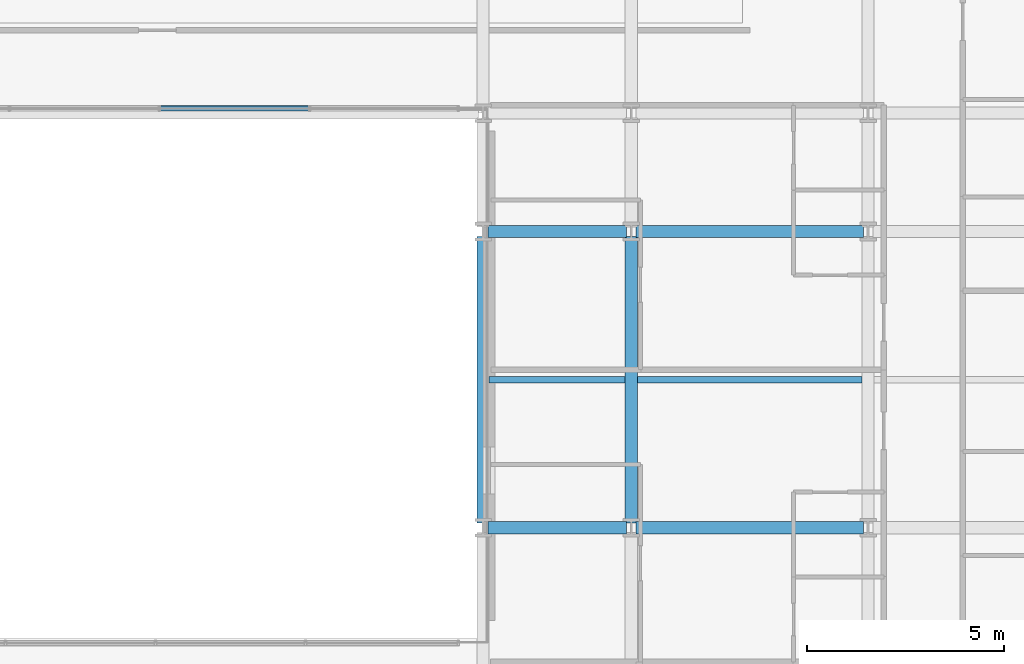
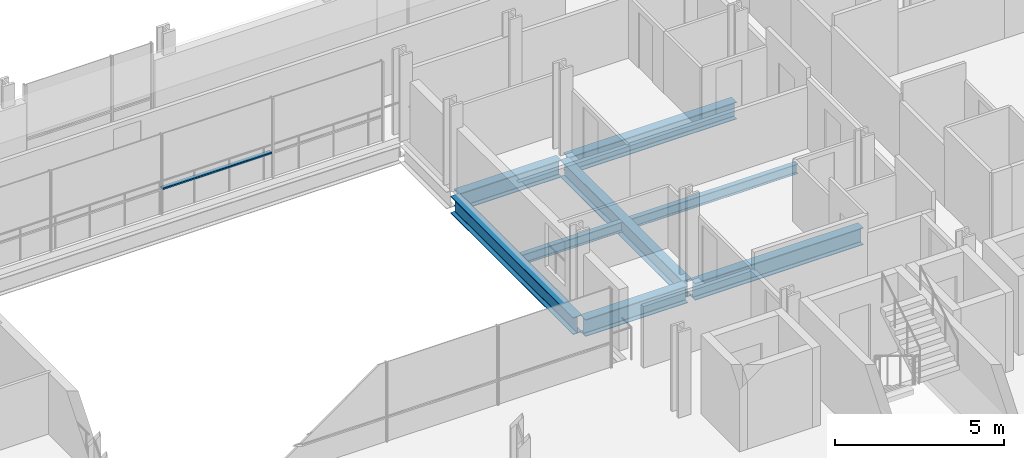
# One storey, part 16 of 38: 8 beams, 1 member, 1 element without a shape of its own.
"""IFC4 building model written with IfcOpenShell, lengths in metres."""

from ifc_helpers import new_model, si_unit, direction, frame, origin, origin_2d, place, context, subcontext, project, spatial, hollow_rectangle, i_section, extrude, material, layer, layer_set, material_profile, profile_set, type_object, element, aggregate, save


model = new_model("IFC4")

# Units and contexts
model_context = context("Model", 3, precision=1e-05, world=origin(), true_north=direction((0.0, 1.0)))
body_context = subcontext(model_context, "Body", "Model", "MODEL_VIEW")
ifc_project = project(units=[si_unit("LENGTHUNIT", "METRE"), si_unit("AREAUNIT", "SQUARE_METRE"), si_unit("VOLUMEUNIT", "CUBIC_METRE"), si_unit("PLANEANGLEUNIT", "RADIAN"), si_unit("MASSUNIT", "GRAM", prefix="KILO")], contexts=[model_context])

# Site, building, storey
site_placement = place(None, origin())
site = spatial("IfcSite", under=ifc_project, at=site_placement, CompositionType="ELEMENT")
building_placement = place(site_placement, origin())
building = spatial("IfcBuilding", under=site, at=building_placement, Name="Brevholm Reach", CompositionType="ELEMENT")
storey_placement = place(building_placement, frame((0.0, 0.0, 59.0)))
storey = spatial("IfcBuildingStorey", under=building, at=storey_placement, Name="L16", CompositionType="ELEMENT", Elevation=59.0)

# Beams
ifc_material_1 = material(Name="Structural Steel S355J2", Category="steel")
ifc_material_profile_1 = material_profile(ifc_material_1, i_section(OverallWidth=0.17138671875, OverallDepth=0.35498046875, WebThickness=0.00732421875, FlangeThickness=0.011474609375, FilletRadius=0.01025390625, at=origin_2d()), Name="UKB 356x171x51")
ifc_profile_set_1 = profile_set([ifc_material_profile_1], Name="Structural Steel S355J2")
beam_type_1 = type_object("IfcBeamType", Name="BM-B356", PredefinedType="BEAM", material=ifc_profile_set_1)
beam_1_placement = place(storey_placement, frame((38.403564453125, 19.75, -0.407470703125), z_axis=(1.0, 0.0, 0.0), x_axis=(0.0, 1.0, 0.0)))
element("IfcBeam", 1, at=beam_1_placement, inside=storey, type_object=beam_type_1, Name="L16 Composite Secondary Floor Beam", PredefinedType="BEAM", context=body_context, shape_type="SweptSolid", body=[
    extrude(i_section(OverallWidth=0.17138671875, OverallDepth=0.35498046875, WebThickness=0.00732421875, FlangeThickness=0.011474609375, FilletRadius=0.01025390625, at=origin_2d()), origin(), (0.0, 0.0, 1.0), 3.44287109375),
])
beam_2_placement = place(storey_placement, frame((42.153564453125, 19.75, -0.407470703125), z_axis=(1.0, 0.0, 0.0), x_axis=(0.0, 1.0, 0.0)))
element("IfcBeam", 2, at=beam_2_placement, inside=storey, type_object=beam_type_1, Name="L16 Composite Secondary Floor Beam", PredefinedType="BEAM", context=body_context, shape_type="SweptSolid", body=[
    extrude(i_section(OverallWidth=0.17138671875, OverallDepth=0.35498046875, WebThickness=0.00732421875, FlangeThickness=0.011474609375, FilletRadius=0.01025390625, at=origin_2d()), origin(), (0.0, 0.0, 1.0), 5.69287109375),
])
ifc_material_2 = material(Name="Structural Steel S355J2", Category="steel")
ifc_material_profile_2 = material_profile(ifc_material_2, i_section(OverallWidth=0.30712890625, OverallDepth=0.6201171875, WebThickness=0.01416015625, FlangeThickness=0.023681640625, FilletRadius=0.0166015625, at=origin_2d()), Name="UKB 610x305x179")
ifc_profile_set_2 = profile_set([ifc_material_profile_2], Name="Structural Steel S355J2")
beam_type_2 = type_object("IfcBeamType", Name="BM-UKB610H", PredefinedType="USERDEFINED", material=ifc_profile_set_2)
beam_3_placement = place(storey_placement, frame((38.3701171875, 16.0, -0.5400390625), z_axis=(1.0, 0.0, 0.0), x_axis=(0.0, 1.0, 0.0)))
element("IfcBeam", 3, at=beam_3_placement, inside=storey, type_object=beam_type_2, Name="L16 G-06 Framing Beam", ObjectType="GIRDER", PredefinedType="USERDEFINED", context=body_context, shape_type="SweptSolid", body=[
    extrude(i_section(OverallWidth=0.30712890625, OverallDepth=0.6201171875, WebThickness=0.01416015625, FlangeThickness=0.023681640625, FilletRadius=0.0166015625, at=origin_2d()), origin(), (0.0, 0.0, 1.0), 3.509765625),
])
beam_4_placement = place(storey_placement, frame((42.1201171875, 16.0, -0.5400390625), z_axis=(1.0, 0.0, 0.0), x_axis=(0.0, 1.0, 0.0)))
element("IfcBeam", 4, at=beam_4_placement, inside=storey, type_object=beam_type_2, Name="L16 G-06 Framing Beam", ObjectType="GIRDER", PredefinedType="USERDEFINED", context=body_context, shape_type="SweptSolid", body=[
    extrude(i_section(OverallWidth=0.30712890625, OverallDepth=0.6201171875, WebThickness=0.01416015625, FlangeThickness=0.023681640625, FilletRadius=0.0166015625, at=origin_2d()), origin(), (0.0, 0.0, 1.0), 5.759765625),
])
beam_5_placement = place(storey_placement, frame((38.3701171875, 23.5, -0.5400390625), z_axis=(1.0, 0.0, 0.0), x_axis=(0.0, 1.0, 0.0)))
element("IfcBeam", 5, at=beam_5_placement, inside=storey, type_object=beam_type_2, Name="L16 G-06 Framing Beam", ObjectType="GIRDER", PredefinedType="USERDEFINED", context=body_context, shape_type="SweptSolid", body=[
    extrude(i_section(OverallWidth=0.30712890625, OverallDepth=0.6201171875, WebThickness=0.01416015625, FlangeThickness=0.023681640625, FilletRadius=0.0166015625, at=origin_2d()), origin(), (0.0, 0.0, 1.0), 3.509765625),
])
beam_6_placement = place(storey_placement, frame((42.1201171875, 23.5, -0.5400390625), z_axis=(1.0, 0.0, 0.0), x_axis=(0.0, 1.0, 0.0)))
element("IfcBeam", 6, at=beam_6_placement, inside=storey, type_object=beam_type_2, Name="L16 G-06 Framing Beam", ObjectType="GIRDER", PredefinedType="USERDEFINED", context=body_context, shape_type="SweptSolid", body=[
    extrude(i_section(OverallWidth=0.30712890625, OverallDepth=0.6201171875, WebThickness=0.01416015625, FlangeThickness=0.023681640625, FilletRadius=0.0166015625, at=origin_2d()), origin(), (0.0, 0.0, 1.0), 5.759765625),
])
for number, where, z_axis, x_axis, name in (
    (7, (38.25, 16.1201171875, -0.5400390625), (0.0, 1.0, 0.0), (-1.0, 0.0, 0.0), "L16 G-06 Framing Beam"),
    (8, (42.0, 16.1201171875, -0.5400390625), (0.0, 1.0, 0.0), (-1.0, 0.0, 0.0), "L16 G-06 Framing Beam"),
):
    element("IfcBeam", number, at=place(storey_placement, frame(where, z_axis=z_axis, x_axis=x_axis)), inside=storey, type_object=beam_type_2, Name=name, ObjectType="GIRDER", PredefinedType="USERDEFINED", context=body_context, shape_type="SweptSolid", body=[
        extrude(i_section(OverallWidth=0.30712890625, OverallDepth=0.6201171875, WebThickness=0.01416015625, FlangeThickness=0.023681640625, FilletRadius=0.0166015625, at=origin_2d()), origin(), (0.0, 0.0, 1.0), 7.259765625),
    ])

# Curtain wall, member
ifc_material_3 = material(Name="Dark Anodised Aluminium 6063-T6 and Solar-Control Glass", Category="aluminium")
ifc_layer = layer(ifc_material_3, 0.139892578125)
ifc_layer_set = layer_set([ifc_layer], Name="Dark Anodised Aluminium 6063-T6 and Solar-Control Glass")
curtain_wall_type = type_object("IfcCurtainWallType", Name="CW-02", PredefinedType="NOTDEFINED", material=ifc_layer_set)
curtain_wall_placement = place(storey_placement, origin())
curtain_wall = element("IfcCurtainWall", 9, at=curtain_wall_placement, inside=storey, type_object=curtain_wall_type, Name="L16 Curtain Wall CW-02", PredefinedType="NOTDEFINED")
ifc_material_4 = material(Name="Dark Anodised Aluminium 6063-T6", Category="aluminium")
ifc_material_profile_3 = material_profile(ifc_material_4, hollow_rectangle(XDim=0.06005859375, YDim=0.139892578125, WallThickness=0.0048828125, InnerFilletRadius=0.0048828125, OuterFilletRadius=0.010009765625, at=origin_2d()), Name="RHS 140x60x5")
ifc_profile_set_3 = profile_set([ifc_material_profile_3], Name="Dark Anodised Aluminium 6063-T6")
member_type = type_object("IfcMemberType", Name="CWT-140", PredefinedType="NOTDEFINED", material=ifc_profile_set_3)
member_placement = place(storey_placement, frame((33.820068359375, 26.6201171875, 0.89990234375), z_axis=(-1.0, 0.0, 0.0), x_axis=(0.0, 0.0, 1.0)))
member = element("IfcMember", 10, at=member_placement, type_object=member_type, Name="CT-140 Transom 2.1", ObjectType="TRANSOM", PredefinedType="USERDEFINED", context=body_context, shape_type="SweptSolid", body=[
    extrude(hollow_rectangle(XDim=0.06005859375, YDim=0.139892578125, WallThickness=0.0048828125, InnerFilletRadius=0.0048828125, OuterFilletRadius=0.010009765625, at=origin_2d()), origin(), (0.0, 0.0, 1.0), 3.739990234375),
])
aggregate(curtain_wall, [member])

save(model, "model.ifc")
